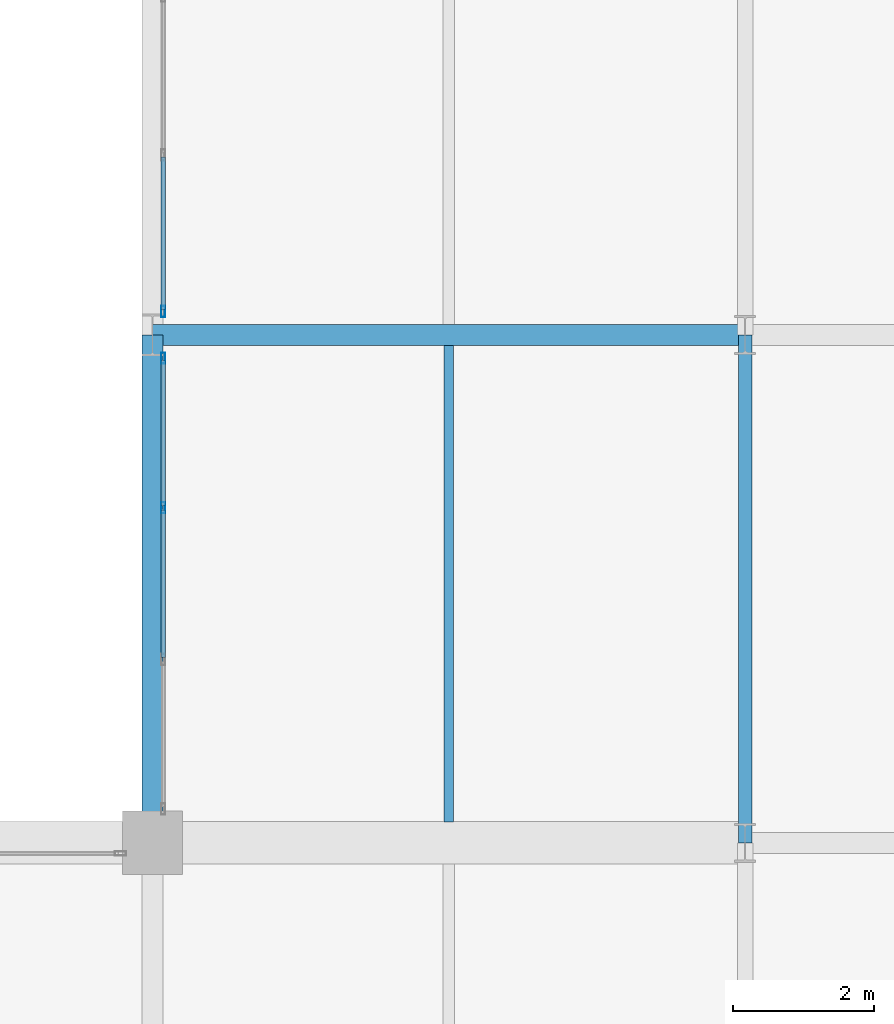
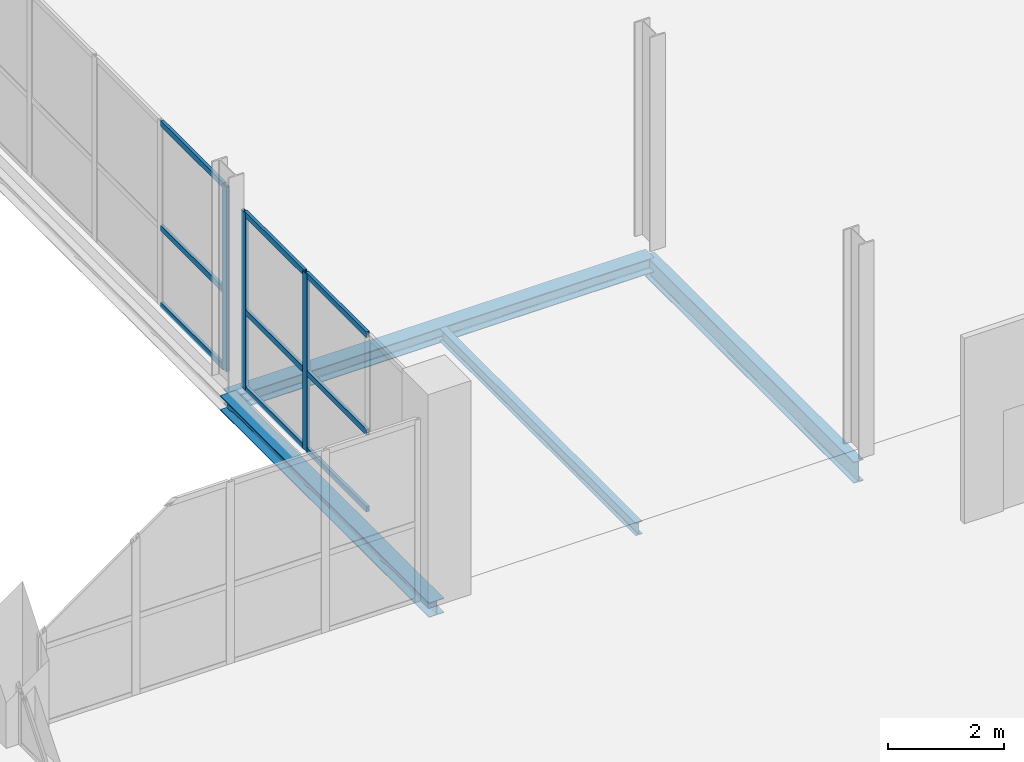
# One storey, part 27 of 109: 12 members, 4 beams, 2 elements without a shape of their own.
"""IFC4 building model written with IfcOpenShell, lengths in metres."""

from ifc_helpers import new_model, si_unit, direction, frame, origin, origin_2d, place, context, subcontext, project, spatial, hollow_rectangle, i_section, extrude, material, material_profile, profile_set, type_object, element, aggregate, save


model = new_model("IFC4")

# Units and contexts
model_context = context("Model", 3, precision=1e-05, world=origin(), true_north=direction((0.0, 1.0)))
body_context = subcontext(model_context, "Body", "Model", "MODEL_VIEW")
ifc_project = project(units=[si_unit("LENGTHUNIT", "METRE"), si_unit("AREAUNIT", "SQUARE_METRE"), si_unit("VOLUMEUNIT", "CUBIC_METRE"), si_unit("PLANEANGLEUNIT", "RADIAN"), si_unit("MASSUNIT", "GRAM", prefix="KILO")], contexts=[model_context])

# Site, building, storey
site_placement = place(None, origin())
site = spatial("IfcSite", under=ifc_project, at=site_placement, CompositionType="ELEMENT")
building_placement = place(site_placement, origin())
building = spatial("IfcBuilding", under=site, at=building_placement, Name="Veltarok Museum of Natural Sciences", CompositionType="ELEMENT")
storey_placement = place(building_placement, frame((0.0, 0.0, 17.39990234375)))
storey = spatial("IfcBuildingStorey", under=building, at=storey_placement, Name="L03", CompositionType="ELEMENT", Elevation=17.39990234375)

# Curtain wall, members
ifc_material_1 = material(Name="Low-iron triple insulated glass", Category="glass")
curtain_wall_type_1 = type_object("IfcCurtainWallType", Name="Curtain Wall System CW-V2W-L03-3-645x373 (CW-V2W L03 645x373cm)", PredefinedType="NOTDEFINED", material=ifc_material_1)
curtain_wall_1_placement = place(storey_placement, origin())
curtain_wall_1 = element("IfcCurtainWall", 1, at=curtain_wall_1_placement, inside=storey, type_object=curtain_wall_type_1, Name="Curtain Wall CW-V2W-L03-3-645x373 CW-0143", PredefinedType="NOTDEFINED")
ifc_material_2 = material(Name="Thermally broken anodised aluminium", Category="aluminium")
ifc_material_profile_1 = material_profile(ifc_material_2, hollow_rectangle(XDim=0.06005859375, YDim=0.1201171875, WallThickness=0.0048828125, at=origin_2d()), Name="CW TRANSOM 60x120x5")
ifc_profile_set_1 = profile_set([ifc_material_profile_1], Name="Thermally broken anodised aluminium")
member_type_1 = type_object("IfcMemberType", Name="Curtain Wall Horizontal Transom 60x120x5", PredefinedType="USERDEFINED", material=ifc_profile_set_1)
member_1_placement = place(storey_placement, frame((40.14990234375, 21.830078125, 0.028076171875), z_axis=(0.0, 1.0, 0.0), x_axis=(-1.0, 0.0, 0.0)))
member_1 = element("IfcMember", 2, at=member_1_placement, type_object=member_type_1, Name="CW-V2W-L03-3-645x373 transom 2.1", ObjectType="TRANSOM", PredefinedType="USERDEFINED", context=body_context, shape_type="SweptSolid", body=[
    extrude(hollow_rectangle(XDim=0.06005859375, YDim=0.1201171875, WallThickness=0.0048828125, at=origin_2d()), origin(), (0.0, 0.0, 1.0), 2.08984375),
])
member_2_placement = place(storey_placement, frame((40.14990234375, 21.830078125, 1.648193359375), z_axis=(0.0, 1.0, 0.0), x_axis=(-1.0, 0.0, 0.0)))
member_2 = element("IfcMember", 3, at=member_2_placement, type_object=member_type_1, Name="CW-V2W-L03-3-645x373 transom 2.2", ObjectType="TRANSOM", PredefinedType="USERDEFINED", context=body_context, shape_type="SweptSolid", body=[
    extrude(hollow_rectangle(XDim=0.06005859375, YDim=0.1201171875, WallThickness=0.0048828125, at=origin_2d()), origin(), (0.0, 0.0, 1.0), 2.08984375),
])
member_3_placement = place(storey_placement, frame((40.14990234375, 21.830078125, 3.7001953125), z_axis=(0.0, 1.0, 0.0), x_axis=(-1.0, 0.0, 0.0)))
member_3 = element("IfcMember", 4, at=member_3_placement, type_object=member_type_1, Name="CW-V2W-L03-3-645x373 transom 2.3", ObjectType="TRANSOM", PredefinedType="USERDEFINED", context=body_context, shape_type="SweptSolid", body=[
    extrude(hollow_rectangle(XDim=0.06005859375, YDim=0.1201171875, WallThickness=0.0048828125, at=origin_2d()), origin(), (0.0, 0.0, 1.0), 2.08984375),
])
member_4_placement = place(storey_placement, frame((40.14990234375, 23.97998046875, 0.028076171875), z_axis=(0.0, 1.0, 0.0), x_axis=(-1.0, 0.0, 0.0)))
member_4 = element("IfcMember", 5, at=member_4_placement, type_object=member_type_1, Name="CW-V2W-L03-3-645x373 transom 3.1", ObjectType="TRANSOM", PredefinedType="USERDEFINED", context=body_context, shape_type="SweptSolid", body=[
    extrude(hollow_rectangle(XDim=0.06005859375, YDim=0.1201171875, WallThickness=0.0048828125, at=origin_2d()), origin(), (0.0, 0.0, 1.0), 2.06005859375),
])
member_5_placement = place(storey_placement, frame((40.14990234375, 23.97998046875, 1.648193359375), z_axis=(0.0, 1.0, 0.0), x_axis=(-1.0, 0.0, 0.0)))
member_5 = element("IfcMember", 6, at=member_5_placement, type_object=member_type_1, Name="CW-V2W-L03-3-645x373 transom 3.2", ObjectType="TRANSOM", PredefinedType="USERDEFINED", context=body_context, shape_type="SweptSolid", body=[
    extrude(hollow_rectangle(XDim=0.06005859375, YDim=0.1201171875, WallThickness=0.0048828125, at=origin_2d()), origin(), (0.0, 0.0, 1.0), 2.06005859375),
])
member_6_placement = place(storey_placement, frame((40.14990234375, 23.97998046875, 3.7001953125), z_axis=(0.0, 1.0, 0.0), x_axis=(-1.0, 0.0, 0.0)))
member_6 = element("IfcMember", 7, at=member_6_placement, type_object=member_type_1, Name="CW-V2W-L03-3-645x373 transom 3.3", ObjectType="TRANSOM", PredefinedType="USERDEFINED", context=body_context, shape_type="SweptSolid", body=[
    extrude(hollow_rectangle(XDim=0.06005859375, YDim=0.1201171875, WallThickness=0.0048828125, at=origin_2d()), origin(), (0.0, 0.0, 1.0), 2.06005859375),
])

curtain_wall_type_2 = type_object("IfcCurtainWallType", Name="Curtain Wall System CW-V2W-L03-0-900x388 (CW-V2W L03 900x388cm)", PredefinedType="NOTDEFINED", material=ifc_material_1)
curtain_wall_2_placement = place(storey_placement, origin())
curtain_wall_2 = element("IfcCurtainWall", 8, at=curtain_wall_2_placement, inside=storey, type_object=curtain_wall_type_2, Name="Curtain Wall CW-V2W-L03-0-900x388 CW-0144", PredefinedType="NOTDEFINED")
member_7_placement = place(storey_placement, frame((40.14990234375, 26.760009765625, 0.028076171875), z_axis=(0.0, 1.0, 0.0), x_axis=(-1.0, 0.0, 0.0)))
member_7 = element("IfcMember", 9, at=member_7_placement, type_object=member_type_1, Name="CW-V2W-L03-0-900x388 transom 1.1", ObjectType="TRANSOM", PredefinedType="USERDEFINED", context=body_context, shape_type="SweptSolid", body=[
    extrude(hollow_rectangle(XDim=0.06005859375, YDim=0.1201171875, WallThickness=0.0048828125, at=origin_2d()), origin(), (0.0, 0.0, 1.0), 2.159912109375),
])
member_8_placement = place(storey_placement, frame((40.14990234375, 26.760009765625, 1.648193359375), z_axis=(0.0, 1.0, 0.0), x_axis=(-1.0, 0.0, 0.0)))
member_8 = element("IfcMember", 10, at=member_8_placement, type_object=member_type_1, Name="CW-V2W-L03-0-900x388 transom 1.2", ObjectType="TRANSOM", PredefinedType="USERDEFINED", context=body_context, shape_type="SweptSolid", body=[
    extrude(hollow_rectangle(XDim=0.06005859375, YDim=0.1201171875, WallThickness=0.0048828125, at=origin_2d()), origin(), (0.0, 0.0, 1.0), 2.159912109375),
])
member_9_placement = place(storey_placement, frame((40.14990234375, 26.760009765625, 3.85009765625), z_axis=(0.0, 1.0, 0.0), x_axis=(-1.0, 0.0, 0.0)))
member_9 = element("IfcMember", 11, at=member_9_placement, type_object=member_type_1, Name="CW-V2W-L03-0-900x388 transom 1.3", ObjectType="TRANSOM", PredefinedType="USERDEFINED", context=body_context, shape_type="SweptSolid", body=[
    extrude(hollow_rectangle(XDim=0.06005859375, YDim=0.1201171875, WallThickness=0.0048828125, at=origin_2d()), origin(), (0.0, 0.0, 1.0), 2.159912109375),
])

# Member
ifc_material_profile_2 = material_profile(ifc_material_2, hollow_rectangle(XDim=0.06005859375, YDim=0.159912109375, WallThickness=0.0048828125, at=origin_2d()), Name="CW MULLION 60x160x5")
ifc_profile_set_2 = profile_set([ifc_material_profile_2], Name="Thermally broken anodised aluminium")
member_type_2 = type_object("IfcMemberType", Name="Curtain Wall Vertical Mullion 60x160x5", PredefinedType="MULLION", material=ifc_profile_set_2)
member_10_placement = place(storey_placement, frame((40.14990234375, 23.949951171875, -0.001953125), z_axis=(0.0, 0.0, 1.0), x_axis=(-1.0, 0.0, 0.0)))
member_10 = element("IfcMember", 12, at=member_10_placement, type_object=member_type_2, Name="CW-V2W-L03-3-645x373 mullion 3", PredefinedType="MULLION", context=body_context, shape_type="SweptSolid", body=[
    extrude(hollow_rectangle(XDim=0.06005859375, YDim=0.159912109375, WallThickness=0.0048828125, at=origin_2d()), origin(), (0.0, 0.0, 1.0), 3.73193359375),
])

member_11_placement = place(storey_placement, frame((40.14990234375, 26.070068359375, -0.001953125), z_axis=(0.0, 0.0, 1.0), x_axis=(-1.0, 0.0, 0.0)))
member_11 = element("IfcMember", 13, at=member_11_placement, type_object=member_type_2, Name="CW-V2W-L03-3-645x373 mullion 4", PredefinedType="MULLION", context=body_context, shape_type="SweptSolid", body=[
    extrude(hollow_rectangle(XDim=0.06005859375, YDim=0.159912109375, WallThickness=0.0048828125, at=origin_2d()), origin(), (0.0, 0.0, 1.0), 3.73193359375),
])

aggregate(curtain_wall_1, [member_10, member_11, member_1, member_2, member_3, member_4, member_5, member_6])

member_12_placement = place(storey_placement, frame((40.14990234375, 26.72998046875, -0.001953125), z_axis=(0.0, 0.0, 1.0), x_axis=(-1.0, 0.0, 0.0)))
member_12 = element("IfcMember", 14, at=member_12_placement, type_object=member_type_2, Name="CW-V2W-L03-0-900x388 mullion 1", PredefinedType="MULLION", context=body_context, shape_type="SweptSolid", body=[
    extrude(hollow_rectangle(XDim=0.06005859375, YDim=0.159912109375, WallThickness=0.0048828125, at=origin_2d()), origin(), (0.0, 0.0, 1.0), 3.882080078125),
])

aggregate(curtain_wall_2, [member_12, member_7, member_8, member_9])

# Beams
ifc_material_3 = material(Name="Steel S355J2", Category="steel")
ifc_material_profile_3 = material_profile(ifc_material_3, i_section(OverallWidth=0.18994140625, OverallDepth=0.449951171875, WebThickness=0.009521484375, FlangeThickness=0.0146484375, FilletRadius=0.02099609375, at=origin_2d()), Name="IPE 450")
ifc_profile_set_3 = profile_set([ifc_material_profile_3], Name="Steel S355J2")
beam_type_1 = type_object("IfcBeamType", Name="Laboratory Floor Girder IPE 450", PredefinedType="BEAM", material=ifc_profile_set_3)
beam_1_placement = place(storey_placement, frame((48.39990234375, 19.199951171875, -0.474853515625), z_axis=(0.0, 1.0, 0.0), x_axis=(-1.0, 0.0, 0.0)))
element("IfcBeam", 15, at=beam_1_placement, inside=storey, type_object=beam_type_1, Name="Beam BM-G05 L03 6/C-D", PredefinedType="BEAM", context=body_context, shape_type="SweptSolid", body=[
    extrude(i_section(OverallWidth=0.18994140625, OverallDepth=0.449951171875, WebThickness=0.009521484375, FlangeThickness=0.0146484375, FilletRadius=0.02099609375, at=origin_2d()), origin(), (0.0, 0.0, 1.0), 7.199951171875),
])
ifc_material_profile_4 = material_profile(ifc_material_3, i_section(OverallWidth=0.300048828125, OverallDepth=0.31005859375, WebThickness=0.009033203125, FlangeThickness=0.015380859375, FilletRadius=0.027099609375, at=origin_2d()), Name="HEA 320")
ifc_profile_set_4 = profile_set([ifc_material_profile_4], Name="Steel S355J2")
beam_type_2 = type_object("IfcBeamType", Name="Perimeter Edge Spandrel HEA 320", PredefinedType="SPANDREL", material=ifc_profile_set_4)
beam_2_placement = place(storey_placement, frame((40.0, 26.39990234375, -0.40478515625), z_axis=(1.0, 0.0, 0.0), x_axis=(0.0, 1.0, 0.0)))
element("IfcBeam", 16, at=beam_2_placement, inside=storey, type_object=beam_type_2, Name="Beam BM-SP04 L03 5-6/D", PredefinedType="SPANDREL", context=body_context, shape_type="SweptSolid", body=[
    extrude(i_section(OverallWidth=0.300048828125, OverallDepth=0.31005859375, WebThickness=0.009033203125, FlangeThickness=0.015380859375, FilletRadius=0.027099609375, at=origin_2d()), origin(), (0.0, 0.0, 1.0), 8.39990234375),
])
beam_3_placement = place(storey_placement, frame((40.0, 19.199951171875, -0.40478515625), z_axis=(0.0, 1.0, 0.0), x_axis=(-1.0, 0.0, 0.0)))
element("IfcBeam", 17, at=beam_3_placement, inside=storey, type_object=beam_type_2, Name="Beam BM-SP04 L03 5/C-D", PredefinedType="SPANDREL", context=body_context, shape_type="SweptSolid", body=[
    extrude(i_section(OverallWidth=0.300048828125, OverallDepth=0.31005859375, WebThickness=0.009033203125, FlangeThickness=0.015380859375, FilletRadius=0.027099609375, at=origin_2d()), origin(), (0.0, 0.0, 1.0), 7.199951171875),
])
ifc_material_profile_5 = material_profile(ifc_material_3, i_section(OverallWidth=0.135009765625, OverallDepth=0.27001953125, WebThickness=0.006591796875, FlangeThickness=0.01025390625, FilletRadius=0.014892578125, at=origin_2d()), Name="IPE 270")
ifc_profile_set_5 = profile_set([ifc_material_profile_5], Name="Steel S355J2")
beam_type_3 = type_object("IfcBeamType", Name="Short-Bay Composite Joist IPE 270", PredefinedType="JOIST", material=ifc_profile_set_5)
beam_4_placement = place(storey_placement, frame((44.199951171875, 19.498046875, -0.385009765625), z_axis=(0.0, 1.0, 0.0), x_axis=(-1.0, 0.0, 0.0)))
element("IfcBeam", 18, at=beam_4_placement, inside=storey, type_object=beam_type_3, Name="Secondary Joist BM-J04 L03 5-6/C-D.1", PredefinedType="JOIST", context=body_context, shape_type="SweptSolid", body=[
    extrude(i_section(OverallWidth=0.135009765625, OverallDepth=0.27001953125, WebThickness=0.006591796875, FlangeThickness=0.01025390625, FilletRadius=0.014892578125, at=origin_2d()), origin(), (0.0, 0.0, 1.0), 6.75390625),
])

save(model, "model.ifc")
